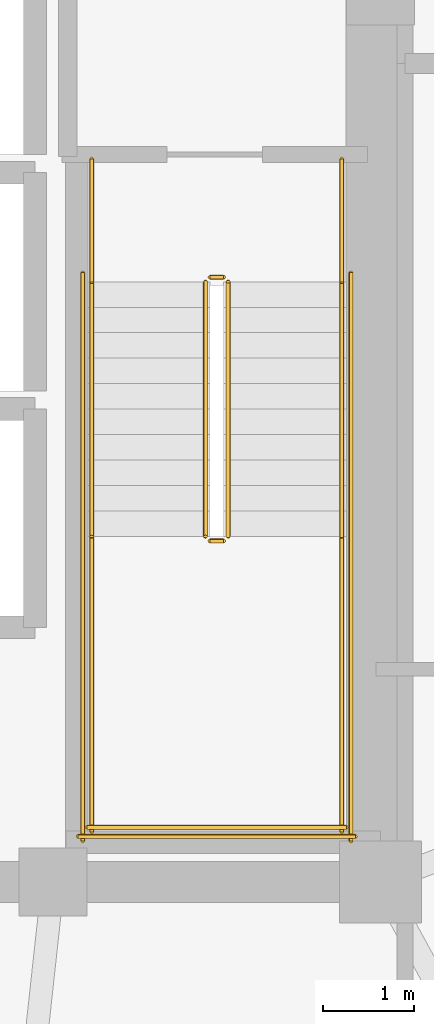
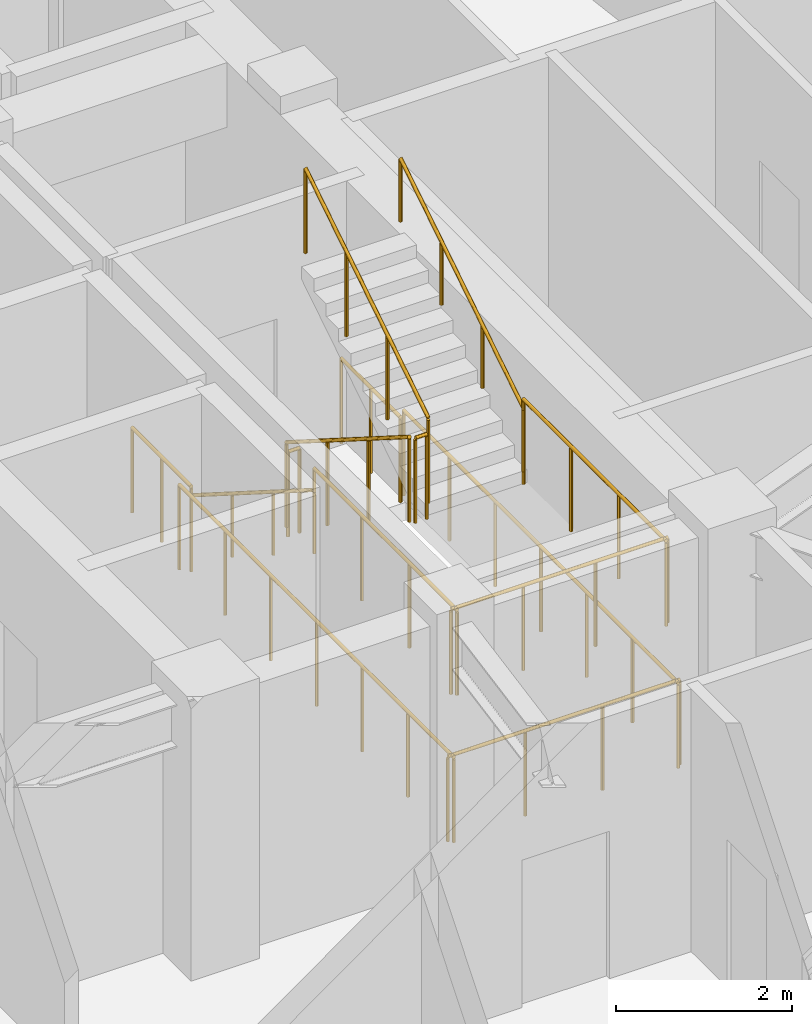
# One storey, part 12 of 12: 14 railings.
"""IFC4 building model written with IfcOpenShell, lengths in metres."""

from ifc_helpers import new_model, si_unit, direction, frame, origin, origin_2d, place, context, subcontext, project, spatial, circle, extrude, material, type_object, element, save


model = new_model("IFC4")

# Units and contexts
model_context = context("Model", 3, precision=1e-05, world=origin(), true_north=direction((0.0, 1.0)))
body_context = subcontext(model_context, "Body", "Model", "MODEL_VIEW")
ifc_project = project(units=[si_unit("LENGTHUNIT", "METRE"), si_unit("AREAUNIT", "SQUARE_METRE"), si_unit("VOLUMEUNIT", "CUBIC_METRE"), si_unit("PLANEANGLEUNIT", "RADIAN"), si_unit("MASSUNIT", "GRAM", prefix="KILO")], contexts=[model_context])

# Site, building, storey
site_placement = place(None, origin())
site = spatial("IfcSite", under=ifc_project, at=site_placement, CompositionType="ELEMENT")
building_placement = place(site_placement, origin())
building = spatial("IfcBuilding", under=site, at=building_placement, Name="Voryun Gate Residences", CompositionType="ELEMENT")
storey_placement = place(building_placement, frame((0.0, 0.0, 167.699951171875)))
storey = spatial("IfcBuildingStorey", under=building, at=storey_placement, Name="L41", CompositionType="ELEMENT", Elevation=167.699951171875)

# Railings
ifc_material_1 = material(Name="Painted steel", Category="steel")
railing_type_1 = type_object("IfcRailingType", Name="RAIL_STAIR_GUARD_1200", PredefinedType="GUARDRAIL", material=ifc_material_1)
railing_1_placement = place(storey_placement, frame((17.27490234375, -0.800048828125, 0.17724609375)))
element("IfcRailing", 1, at=railing_1_placement, inside=storey, type_object=railing_type_1, Name="L41 ST-E1 stair guard 1", PredefinedType="GUARDRAIL", context=body_context, shape_type="SweptSolid", body=[
    extrude(circle(Radius=0.02392578125, at=origin_2d()), frame((0.0, 0.0, 1.17578125), z_axis=(0.0, -0.844908973607, 0.534910110503), x_axis=(1.0, 0.0, 0.0)), (0.0, 0.0, 1.0), 3.31396484375),
    extrude(circle(Radius=0.02099609375, at=origin_2d()), origin(), (0.0, 0.0, 1.0), 1.15185546875),
    extrude(circle(Radius=0.02099609375, at=origin_2d()), frame((0.0, -0.933349609375, 0.5908203125)), (0.0, 0.0, 1.0), 1.15185546875),
    extrude(circle(Radius=0.02099609375, at=origin_2d()), frame((0.0, -1.86669921875, 1.181884765625)), (0.0, 0.0, 1.0), 1.15185546875),
    extrude(circle(Radius=0.02099609375, at=origin_2d()), frame((0.0, -2.800048828125, 1.772705078125)), (0.0, 0.0, 1.0), 1.15185546875),
])
railing_2_placement = place(storey_placement, frame((17.324951171875, -3.64990234375, 1.949951171875)))
element("IfcRailing", 2, at=railing_2_placement, inside=storey, type_object=railing_type_1, Name="L41 ST-E1 stair guard 2", PredefinedType="GUARDRAIL", context=body_context, shape_type="SweptSolid", body=[
    extrude(circle(Radius=0.02392578125, at=origin_2d()), frame((0.0, 0.0, 1.17578125), z_axis=(1.0, 0.0, 0.0), x_axis=(0.0, 1.0, 0.0)), (0.0, 0.0, 1.0), 0.150146484375),
    extrude(circle(Radius=0.02099609375, at=origin_2d()), origin(), (0.0, 0.0, 1.0), 1.15185546875),
    extrude(circle(Radius=0.02099609375, at=origin_2d()), frame((0.150146484375, 0.0, 0.0)), (0.0, 0.0, 1.0), 1.15185546875),
])
for number, where, name in (
    (3, (16.02490234375, -3.60009765625, 1.949951171875), "L41 ST-E1 stair guard 3"),
    (4, (18.77490234375, -3.60009765625, 1.949951171875), "L41 ST-E1 stair guard 4"),
):
    element("IfcRailing", number, at=place(storey_placement, frame(where)), inside=storey, type_object=railing_type_1, Name=name, PredefinedType="GUARDRAIL", context=body_context, shape_type="SweptSolid", body=[
        extrude(circle(Radius=0.02392578125, at=origin_2d()), frame((0.0, 0.0, 1.17578125), z_axis=(0.0, -1.0, 0.0), x_axis=(1.0, 0.0, 0.0)), (0.0, 0.0, 1.0), 3.25),
        extrude(circle(Radius=0.02099609375, at=origin_2d()), origin(), (0.0, 0.0, 1.0), 1.15185546875),
        extrude(circle(Radius=0.02099609375, at=origin_2d()), frame((0.0, -1.083251953125, 0.0)), (0.0, 0.0, 1.0), 1.15185546875),
        extrude(circle(Radius=0.02099609375, at=origin_2d()), frame((0.0, -2.166748046875, 0.0)), (0.0, 0.0, 1.0), 1.15185546875),
        extrude(circle(Radius=0.02099609375, at=origin_2d()), frame((0.0, -3.25, 0.0)), (0.0, 0.0, 1.0), 1.15185546875),
    ])
railing_3_placement = place(storey_placement, frame((15.97509765625, -6.800048828125, 1.949951171875)))
element("IfcRailing", 5, at=railing_3_placement, inside=storey, type_object=railing_type_1, Name="L41 ST-E1 stair guard 5", PredefinedType="GUARDRAIL", context=body_context, shape_type="SweptSolid", body=[
    extrude(circle(Radius=0.02392578125, at=origin_2d()), frame((0.0, 0.0, 1.17578125), z_axis=(1.0, 0.0, 0.0), x_axis=(0.0, 1.0, 0.0)), (0.0, 0.0, 1.0), 2.849853515625),
    extrude(circle(Radius=0.02099609375, at=origin_2d()), origin(), (0.0, 0.0, 1.0), 1.15185546875),
    extrude(circle(Radius=0.02099609375, at=origin_2d()), frame((0.949951171875, 0.0, 0.0)), (0.0, 0.0, 1.0), 1.15185546875),
    extrude(circle(Radius=0.02099609375, at=origin_2d()), frame((1.89990234375, 0.0, 0.0)), (0.0, 0.0, 1.0), 1.15185546875),
    extrude(circle(Radius=0.02099609375, at=origin_2d()), frame((2.849853515625, 0.0, 0.0)), (0.0, 0.0, 1.0), 1.15185546875),
])
railing_4_placement = place(storey_placement, frame((17.52490234375, -3.60009765625, 2.12744140625)))
element("IfcRailing", 6, at=railing_4_placement, inside=storey, type_object=railing_type_1, Name="L41 ST-E1 stair guard 6", PredefinedType="GUARDRAIL", context=body_context, shape_type="SweptSolid", body=[
    extrude(circle(Radius=0.02392578125, at=origin_2d()), frame((0.0, 0.0, 1.17578125), z_axis=(0.0, 0.844908973607, 0.534910110503), x_axis=(-1.0, 0.0, 0.0)), (0.0, 0.0, 1.0), 3.31396484375),
    extrude(circle(Radius=0.02099609375, at=origin_2d()), origin(), (0.0, 0.0, 1.0), 1.15185546875),
    extrude(circle(Radius=0.02099609375, at=origin_2d()), frame((0.0, 0.933349609375, 0.5908203125)), (0.0, 0.0, 1.0), 1.15185546875),
    extrude(circle(Radius=0.02099609375, at=origin_2d()), frame((0.0, 1.86669921875, 1.181884765625)), (0.0, 0.0, 1.0), 1.15185546875),
    extrude(circle(Radius=0.02099609375, at=origin_2d()), frame((0.0, 2.800048828125, 1.772705078125)), (0.0, 0.0, 1.0), 1.15185546875),
])
railing_5_placement = place(storey_placement, frame((17.324951171875, -0.75, 0.0)))
element("IfcRailing", 7, at=railing_5_placement, inside=storey, type_object=railing_type_1, Name="L41 ST-E1 stair guard 7", PredefinedType="GUARDRAIL", context=body_context, shape_type="SweptSolid", body=[
    extrude(circle(Radius=0.02392578125, at=origin_2d()), frame((0.0, 0.0, 1.17578125), z_axis=(1.0, 0.0, 0.0), x_axis=(0.0, 1.0, 0.0)), (0.0, 0.0, 1.0), 0.150146484375),
    extrude(circle(Radius=0.02099609375, at=origin_2d()), origin(), (0.0, 0.0, 1.0), 1.15185546875),
    extrude(circle(Radius=0.02099609375, at=origin_2d()), frame((0.150146484375, 0.0, 0.0)), (0.0, 0.0, 1.0), 1.15185546875),
])
for number, where, name in (
    (8, (16.02490234375, 0.550048828125, 0.0), "L41 ST-E1 stair guard 8"),
    (9, (18.77490234375, 0.550048828125, 0.0), "L41 ST-E1 stair guard 9"),
):
    element("IfcRailing", number, at=place(storey_placement, frame(where)), inside=storey, type_object=railing_type_1, Name=name, PredefinedType="GUARDRAIL", context=body_context, shape_type="SweptSolid", body=[
        extrude(circle(Radius=0.02392578125, at=origin_2d()), frame((0.0, 0.0, 1.17578125), z_axis=(0.0, -1.0, 0.0), x_axis=(1.0, 0.0, 0.0)), (0.0, 0.0, 1.0), 1.35009765625),
        extrude(circle(Radius=0.02099609375, at=origin_2d()), origin(), (0.0, 0.0, 1.0), 1.15185546875),
        extrude(circle(Radius=0.02099609375, at=origin_2d()), frame((0.0, -0.675048828125, 0.0)), (0.0, 0.0, 1.0), 1.15185546875),
        extrude(circle(Radius=0.02099609375, at=origin_2d()), frame((0.0, -1.35009765625, 0.0)), (0.0, 0.0, 1.0), 1.15185546875),
    ])
for number, where, name in (
    (10, (15.925048828125, -0.699951171875, 0.0), "L41 ST-E1 stair guard 10"),
    (11, (18.875, -0.699951171875, 0.0), "L41 ST-E1 stair guard 11"),
):
    element("IfcRailing", number, at=place(storey_placement, frame(where)), inside=storey, type_object=railing_type_1, Name=name, PredefinedType="GUARDRAIL", context=body_context, shape_type="SweptSolid", body=[
        extrude(circle(Radius=0.02392578125, at=origin_2d()), frame((0.0, 0.0, 1.17578125), z_axis=(0.0, -1.0, 0.0), x_axis=(1.0, 0.0, 0.0)), (0.0, 0.0, 1.0), 6.25),
        extrude(circle(Radius=0.02099609375, at=origin_2d()), origin(), (0.0, 0.0, 1.0), 1.15185546875),
        extrude(circle(Radius=0.02099609375, at=origin_2d()), frame((0.0, -1.041748046875, 0.0)), (0.0, 0.0, 1.0), 1.15185546875),
        extrude(circle(Radius=0.02099609375, at=origin_2d()), frame((0.0, -2.083251953125, 0.0)), (0.0, 0.0, 1.0), 1.15185546875),
        extrude(circle(Radius=0.02099609375, at=origin_2d()), frame((0.0, -3.125, 0.0)), (0.0, 0.0, 1.0), 1.15185546875),
        extrude(circle(Radius=0.02099609375, at=origin_2d()), frame((0.0, -4.166748046875, 0.0)), (0.0, 0.0, 1.0), 1.15185546875),
        extrude(circle(Radius=0.02099609375, at=origin_2d()), frame((0.0, -5.208251953125, 0.0)), (0.0, 0.0, 1.0), 1.15185546875),
        extrude(circle(Radius=0.02099609375, at=origin_2d()), frame((0.0, -6.25, 0.0)), (0.0, 0.0, 1.0), 1.15185546875),
    ])
railing_6_placement = place(storey_placement, frame((15.875, -6.89990234375, 0.0)))
element("IfcRailing", 12, at=railing_6_placement, inside=storey, type_object=railing_type_1, Name="L41 ST-E1 stair guard 12", PredefinedType="GUARDRAIL", context=body_context, shape_type="SweptSolid", body=[
    extrude(circle(Radius=0.02392578125, at=origin_2d()), frame((0.0, 0.0, 1.17578125), z_axis=(1.0, 0.0, 0.0), x_axis=(0.0, 1.0, 0.0)), (0.0, 0.0, 1.0), 3.050048828125),
    extrude(circle(Radius=0.02099609375, at=origin_2d()), origin(), (0.0, 0.0, 1.0), 1.15185546875),
    extrude(circle(Radius=0.02099609375, at=origin_2d()), frame((1.0166015625, 0.0, 0.0)), (0.0, 0.0, 1.0), 1.15185546875),
    extrude(circle(Radius=0.02099609375, at=origin_2d()), frame((2.033447265625, 0.0, 0.0)), (0.0, 0.0, 1.0), 1.15185546875),
    extrude(circle(Radius=0.02099609375, at=origin_2d()), frame((3.050048828125, 0.0, 0.0)), (0.0, 0.0, 1.0), 1.15185546875),
])
ifc_material_2 = material(Name="Painted steel", Category="steel")
railing_type_2 = type_object("IfcRailingType", Name="RAIL_STAIR_HANDRAIL_900", PredefinedType="HANDRAIL", material=ifc_material_2)
railing_7_placement = place(storey_placement, frame((16.02490234375, -0.800048828125, 0.17724609375)))
element("IfcRailing", 13, at=railing_7_placement, inside=storey, type_object=railing_type_2, Name="L41 ST-E1 stair handrail 1", PredefinedType="HANDRAIL", context=body_context, shape_type="SweptSolid", body=[
    extrude(circle(Radius=0.02392578125, at=origin_2d()), frame((0.0, 0.0, 0.8759765625), z_axis=(0.0, -0.844908973607, 0.534910110503), x_axis=(1.0, 0.0, 0.0)), (0.0, 0.0, 1.0), 3.31396484375),
    extrude(circle(Radius=0.02099609375, at=origin_2d()), origin(), (0.0, 0.0, 1.0), 0.851806640625),
    extrude(circle(Radius=0.02099609375, at=origin_2d()), frame((0.0, -0.933349609375, 0.5908203125)), (0.0, 0.0, 1.0), 0.851806640625),
    extrude(circle(Radius=0.02099609375, at=origin_2d()), frame((0.0, -1.86669921875, 1.181884765625)), (0.0, 0.0, 1.0), 0.851806640625),
    extrude(circle(Radius=0.02099609375, at=origin_2d()), frame((0.0, -2.800048828125, 1.772705078125)), (0.0, 0.0, 1.0), 0.851806640625),
])
railing_8_placement = place(storey_placement, frame((18.77490234375, -3.60009765625, 2.12744140625)))
element("IfcRailing", 14, at=railing_8_placement, inside=storey, type_object=railing_type_2, Name="L41 ST-E1 stair handrail 2", PredefinedType="HANDRAIL", context=body_context, shape_type="SweptSolid", body=[
    extrude(circle(Radius=0.02392578125, at=origin_2d()), frame((0.0, 0.0, 0.8759765625), z_axis=(0.0, 0.844908973607, 0.534910110503), x_axis=(-1.0, 0.0, 0.0)), (0.0, 0.0, 1.0), 3.31396484375),
    extrude(circle(Radius=0.02099609375, at=origin_2d()), origin(), (0.0, 0.0, 1.0), 0.851806640625),
    extrude(circle(Radius=0.02099609375, at=origin_2d()), frame((0.0, 0.933349609375, 0.5908203125)), (0.0, 0.0, 1.0), 0.851806640625),
    extrude(circle(Radius=0.02099609375, at=origin_2d()), frame((0.0, 1.86669921875, 1.181884765625)), (0.0, 0.0, 1.0), 0.851806640625),
    extrude(circle(Radius=0.02099609375, at=origin_2d()), frame((0.0, 2.800048828125, 1.772705078125)), (0.0, 0.0, 1.0), 0.851806640625),
])

save(model, "model.ifc")
